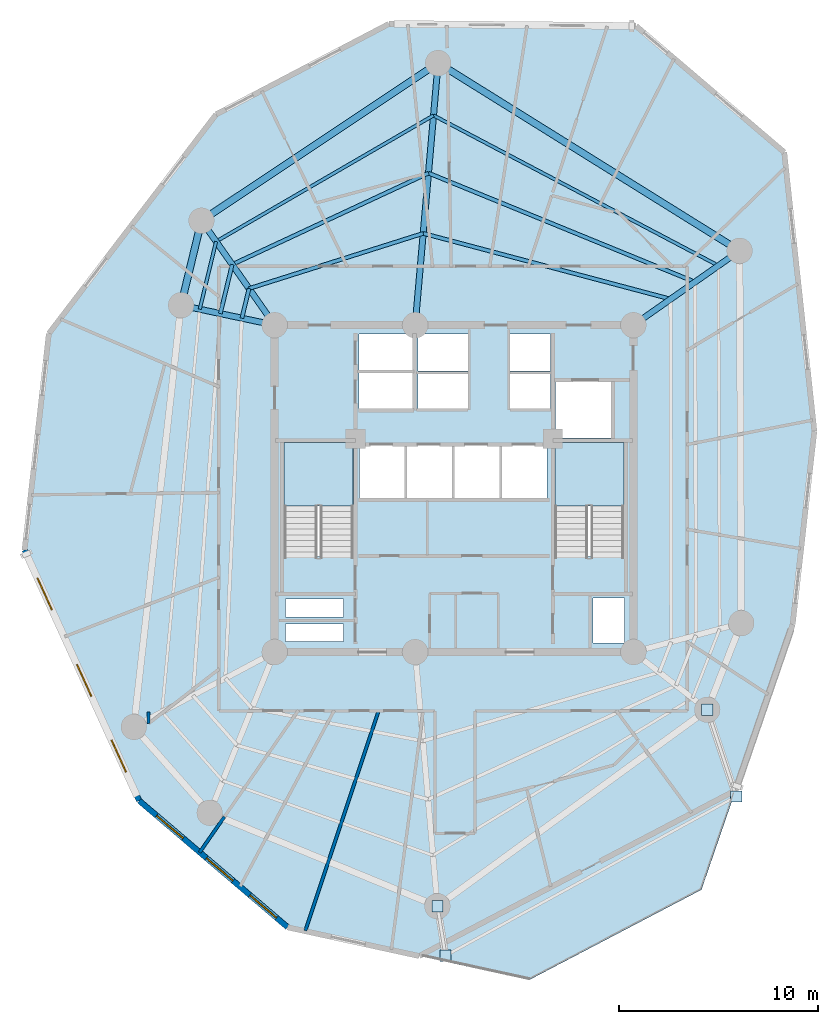
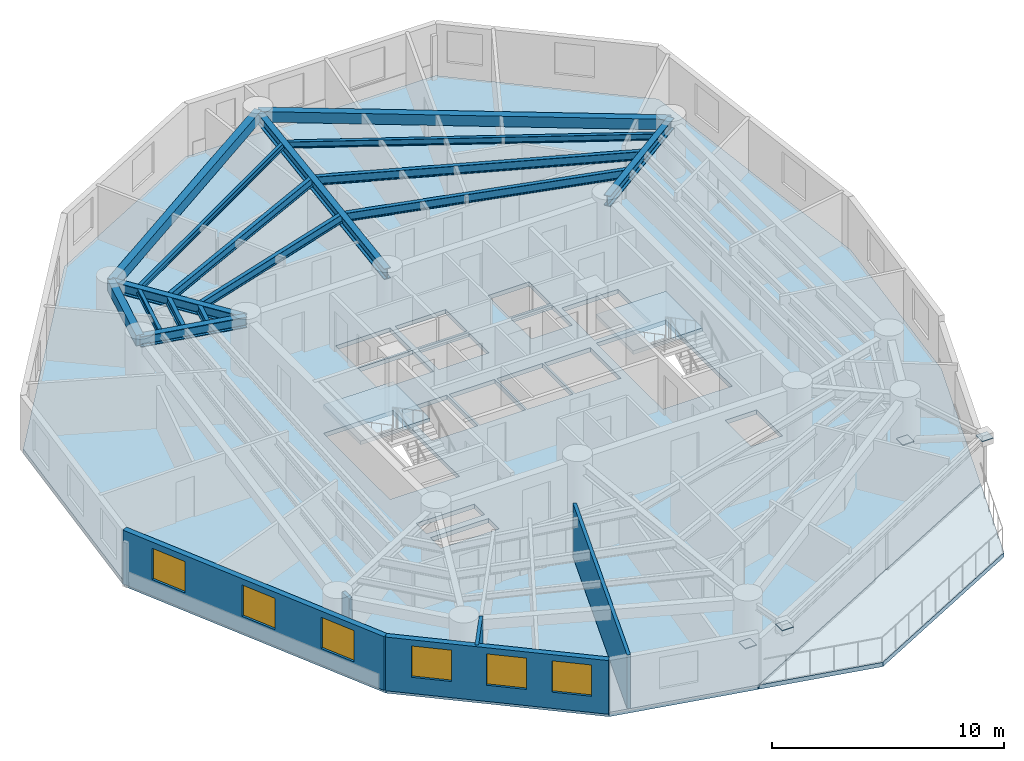
# One storey, part 2 of 10: 16 beams, 6 windows, 5 walls, 4 plates, 4 slabs, 6 openings, 2 elements without a shape of their own.
"""IFC4 building model written with IfcOpenShell, lengths in metres."""

import ifcopenshell
import ifcopenshell.guid

model = None  # the IFC model being written
_history = None  # IfcOwnerHistory: only IFC2X3 demands one
_inside = {}  # id of a spatial element -> (the spatial element, [elements in it])
_under = {}  # id of a project, library or spatial element -> (it, [spatial elements below it])
_declared = {}  # id of a project -> (the project, [libraries it declares])
_typed = {}  # id of a type object -> (the type object, [elements of that type])
_made_of = {}  # id of a material, layer set ... -> (it, [elements and type objects made of it])


def new_model(schema):
    """Start an empty IFC model of exactly this schema.

    Asked for "IFC4X3", IfcOpenShell would pick the latest addendum, in which some entities
    have other attributes; the version numbers below select the first issue.
    IFC2X3 requires an IfcOwnerHistory on every rooted entity: one is made here for all.
    """
    global model, _history
    if schema == "IFC4X3":
        model = ifcopenshell.file(schema_version=(4, 3, 0, 0))
    else:
        model = ifcopenshell.file(schema=schema)
    _inside.clear()
    _under.clear()
    _declared.clear()
    _typed.clear()
    _made_of.clear()
    _history = None
    if model.schema == "IFC2X3":
        org = make("IfcOrganization", Name="unknown")
        user = make(
            "IfcPersonAndOrganization",
            ThePerson=make("IfcPerson", FamilyName="unknown"),
            TheOrganization=org,
        )
        app = make(
            "IfcApplication",
            ApplicationDeveloper=org,
            Version="unknown",
            ApplicationFullName="unknown",
            ApplicationIdentifier="unknown",
        )
        _history = make(
            "IfcOwnerHistory",
            OwningUser=user,
            OwningApplication=app,
            ChangeAction="ADDED",
            CreationDate=0,
        )
    return model


def make(cls, **values):
    """One entity of the class cls with the attributes given. An attribute that is None is left unset."""
    return model.create_entity(
        cls, **{name: value for name, value in values.items() if value is not None}
    )


def rooted(cls, **values):
    """An entity with a GlobalId (a new one), such as an element, a storey or a relation."""
    return make(cls, GlobalId=ifcopenshell.guid.new(), OwnerHistory=_history, **values)


def si_unit(unit_type, name, prefix=None):
    """IfcSIUnit, for example si_unit("LENGTHUNIT", "METRE", prefix="MILLI")."""
    return make("IfcSIUnit", UnitType=unit_type, Prefix=prefix, Name=name)


def assignment(units):
    """IfcUnitAssignment: the units of a project."""
    return None if units is None else make("IfcUnitAssignment", Units=units)


def point(xyz):
    """IfcCartesianPoint."""
    return None if xyz is None else make("IfcCartesianPoint", Coordinates=xyz)


def direction(xyz):
    """IfcDirection."""
    return None if xyz is None else make("IfcDirection", DirectionRatios=xyz)


def frame(location, z_axis=None, x_axis=None):
    """IfcAxis2Placement3D, a coordinate frame: its origin and axes. An axis left out is left unset."""
    return make(
        "IfcAxis2Placement3D",
        Location=point(location),
        Axis=direction(z_axis),
        RefDirection=direction(x_axis),
    )


def frame_2d(location, x_axis=None):
    """IfcAxis2Placement2D, a coordinate frame in the plane: its origin and x axis."""
    return make(
        "IfcAxis2Placement2D", Location=point(location), RefDirection=direction(x_axis)
    )


def origin():
    """The frame at (0, 0, 0) with its axes left unset."""
    return frame((0.0, 0.0, 0.0))


def origin_with_axes():
    """The frame at (0, 0, 0) with the z axis (0, 0, 1) and the x axis (1, 0, 0) written out."""
    return frame((0.0, 0.0, 0.0), z_axis=(0.0, 0.0, 1.0), x_axis=(1.0, 0.0, 0.0))


def origin_2d():
    """The frame at (0, 0) in the plane with its x axis left unset."""
    return frame_2d((0.0, 0.0))


def place(relative_to, where):
    """IfcLocalPlacement: puts the frame where relative to a parent placement (None: the world)."""
    return make(
        "IfcLocalPlacement", PlacementRelTo=relative_to, RelativePlacement=where
    )


def context(
    kind, dimensions, precision=None, world=None, true_north=None, identifier=None
):
    """IfcGeometricRepresentationContext, for example the 3D "Model" context."""
    return make(
        "IfcGeometricRepresentationContext",
        ContextIdentifier=identifier,
        ContextType=kind,
        CoordinateSpaceDimension=dimensions,
        Precision=precision,
        WorldCoordinateSystem=world,
        TrueNorth=true_north,
    )


def subcontext(parent, identifier, kind, view, scale=None):
    """IfcGeometricRepresentationSubContext, for example "Body" below "Model"."""
    return make(
        "IfcGeometricRepresentationSubContext",
        ContextIdentifier=identifier,
        ContextType=kind,
        ParentContext=parent,
        TargetScale=scale,
        TargetView=view,
    )


def project(units=None, contexts=None):
    """IfcProject with its units and contexts."""
    return rooted(
        "IfcProject",
        Name="project",
        RepresentationContexts=contexts,
        UnitsInContext=assignment(units),
    )


def spatial(cls, under=None, at=None, **own):
    """A site, building, storey or space (cls), placed at a placement, below another one or the project."""
    s = rooted(cls, ObjectPlacement=at, **own)
    if under is not None:
        _under.setdefault(under.id(), (under, []))[1].append(s)
    return s


def polyline(points):
    """IfcPolyline through the points."""
    return make("IfcPolyline", Points=[point(p) for p in points])


def profile(cls, at=None, kind="AREA", **sizes):
    """A parametric profile (cls). Its sizes go by their IFC names, for example OverallWidth=200.0."""
    return make(cls, ProfileType=kind, Position=at, **sizes)


def rectangle(**sizes):
    """IfcRectangleProfileDef."""
    return profile("IfcRectangleProfileDef", **sizes)


def i_section(**sizes):
    """IfcIShapeProfileDef."""
    return profile("IfcIShapeProfileDef", **sizes)


def outline(outer, holes=None, kind="AREA"):
    """IfcArbitraryClosedProfileDef: a profile drawn as a closed curve; with holes, ...WithVoids."""
    if holes is None:
        return make("IfcArbitraryClosedProfileDef", ProfileType=kind, OuterCurve=outer)
    return make(
        "IfcArbitraryProfileDefWithVoids",
        ProfileType=kind,
        OuterCurve=outer,
        InnerCurves=holes,
    )


def extrude(swept, where, along, depth):
    """IfcExtrudedAreaSolid: the profile swept, set in the frame where, extruded along a direction by depth."""
    return make(
        "IfcExtrudedAreaSolid",
        SweptArea=swept,
        Position=where,
        ExtrudedDirection=direction(along),
        Depth=depth,
    )


def shape(context_of_items, identifier, shape_type, items):
    """IfcShapeRepresentation: the items that make up one representation, for example the "Body"."""
    return make(
        "IfcShapeRepresentation",
        ContextOfItems=context_of_items,
        RepresentationIdentifier=identifier,
        RepresentationType=shape_type,
        Items=items,
    )


def source(mapping_origin, context_of_items, identifier, shape_type, items):
    """IfcRepresentationMap: a shape defined once, which mapped items show again and again."""
    return make(
        "IfcRepresentationMap",
        MappingOrigin=mapping_origin,
        MappedRepresentation=shape(context_of_items, identifier, shape_type, items),
    )


def transform(
    local_origin,
    x_axis=None,
    y_axis=None,
    z_axis=None,
    scale=None,
    scale2=None,
    scale3=None,
    uniform=True,
):
    """IfcCartesianTransformationOperator3D, or its non-uniform kind. x_axis, y_axis, z_axis: its Axis1, 2, 3."""
    if uniform:
        return make(
            "IfcCartesianTransformationOperator3D",
            Axis1=direction(x_axis),
            Axis2=direction(y_axis),
            LocalOrigin=point(local_origin),
            Scale=scale,
            Axis3=direction(z_axis),
        )
    return make(
        "IfcCartesianTransformationOperator3DnonUniform",
        Axis1=direction(x_axis),
        Axis2=direction(y_axis),
        LocalOrigin=point(local_origin),
        Scale=scale,
        Axis3=direction(z_axis),
        Scale2=scale2,
        Scale3=scale3,
    )


def mapped(mapping_source, mapping_target):
    """IfcMappedItem: shows the shape of a source again, moved by a transform."""
    return make(
        "IfcMappedItem", MappingSource=mapping_source, MappingTarget=mapping_target
    )


def material(Name=None, Category=None):
    """IfcMaterial."""
    return make("IfcMaterial", Name=Name, Category=Category)


def layer(
    of_material, thickness, ventilated=None, Name=None, Category=None, Priority=None
):
    """IfcMaterialLayer: one layer of a wall or slab, of a material (None: an air gap)."""
    return make(
        "IfcMaterialLayer",
        Material=of_material,
        LayerThickness=thickness,
        IsVentilated=ventilated,
        Name=Name,
        Category=Category,
        Priority=Priority,
    )


def layer_set(layers, Name=None):
    """IfcMaterialLayerSet."""
    return make("IfcMaterialLayerSet", MaterialLayers=layers, LayerSetName=Name)


def material_profile(
    of_material, cross_section, Name=None, Category=None, Priority=None
):
    """IfcMaterialProfile: a cross section and its material."""
    return make(
        "IfcMaterialProfile",
        Name=Name,
        Material=of_material,
        Profile=cross_section,
        Priority=Priority,
        Category=Category,
    )


def profile_set(profiles, Name=None, composite=None):
    """IfcMaterialProfileSet."""
    return make(
        "IfcMaterialProfileSet",
        Name=Name,
        MaterialProfiles=profiles,
        CompositeProfile=composite,
    )


def made_of(thing, what):
    """Note that an element or type object is made of a material, layer set ...; save() writes the relation."""
    if what is not None:
        _made_of.setdefault(what.id(), (what, []))[1].append(thing)
    return thing


def type_object(cls, material=None, **own):
    """A type object (cls), such as IfcWallType, which elements share."""
    return made_of(rooted(cls, **own), material)


def element(
    cls,
    number,
    at=None,
    inside=None,
    cuts=None,
    type_object=None,
    material=None,
    context=None,
    identifier="Body",
    shape_type=None,
    held_by="IfcProductDefinitionShape",
    body=None,
    shapes=None,
    **own,
):
    """One element of the class cls, such as IfcWall. Its Tag is "e" and its number.

    at: its placement. inside: the storey or other place that contains it. cuts: it is an
    opening in that element (IfcRelVoidsElement). A single representation is given by context,
    identifier, shape_type and body (its items); several are given by shapes. held_by: the class
    of the entity that holds the representations. save() writes the other relations.
    """
    e = rooted(cls, Tag="e%d" % number, ObjectPlacement=at, **own)
    if body is not None:
        shapes = [shape(context, identifier, shape_type, body)]
    if shapes is not None:
        e.Representation = make(held_by, Representations=shapes)
    if inside is not None:
        _inside.setdefault(inside.id(), (inside, []))[1].append(e)
    if cuts is not None:
        rooted(
            "IfcRelVoidsElement", RelatingBuildingElement=cuts, RelatedOpeningElement=e
        )
    if type_object is not None:
        _typed.setdefault(type_object.id(), (type_object, []))[1].append(e)
    return made_of(e, material)


def fill(opening, filler):
    """IfcRelFillsElement: the door or window that sits in an opening."""
    return rooted(
        "IfcRelFillsElement",
        RelatingOpeningElement=opening,
        RelatedBuildingElement=filler,
    )


def aggregate(whole, parts):
    """IfcRelAggregates: a whole, such as a stair, and the parts it consists of."""
    return rooted("IfcRelAggregates", RelatingObject=whole, RelatedObjects=parts)


def save(model, path):
    """Write the relations noted so far, then the file.

    IfcRelAggregates (storeys below a building ...), IfcRelContainedInSpatialStructure (elements
    in a storey), IfcRelDefinesByType, IfcRelAssociatesMaterial and IfcRelDeclares: one each for
    every whole, place, type object, material and project.
    """
    for whole, parts in _under.values():
        aggregate(whole, parts)
    for where, things in _inside.values():
        rooted(
            "IfcRelContainedInSpatialStructure",
            RelatedElements=things,
            RelatingStructure=where,
        )
    for kind, things in _typed.values():
        rooted("IfcRelDefinesByType", RelatedObjects=things, RelatingType=kind)
    for what, things in _made_of.values():
        rooted("IfcRelAssociatesMaterial", RelatedObjects=things, RelatingMaterial=what)
    for by, libraries in _declared.values():
        rooted("IfcRelDeclares", RelatingContext=by, RelatedDefinitions=libraries)
    model.write(path)


model = new_model("IFC4")

# Units and contexts
model_context = context("Model", 3, precision=1e-05, world=origin(), true_north=direction((0.0, 1.0)))
body_context = subcontext(model_context, "Body", "Model", "MODEL_VIEW")
ifc_project = project(units=[si_unit("LENGTHUNIT", "METRE"), si_unit("AREAUNIT", "SQUARE_METRE"), si_unit("VOLUMEUNIT", "CUBIC_METRE"), si_unit("PLANEANGLEUNIT", "RADIAN"), si_unit("MASSUNIT", "GRAM", prefix="KILO")], contexts=[model_context])

# Site, building, storey
site_placement = place(None, origin())
site = spatial("IfcSite", under=ifc_project, at=site_placement, CompositionType="ELEMENT")
building_placement = place(site_placement, origin())
building = spatial("IfcBuilding", under=site, at=building_placement, Name="Karkom Vertical University and Central Library", CompositionType="ELEMENT")
storey_placement = place(building_placement, frame((0.0, 0.0, 171.800048828125)))
storey = spatial("IfcBuildingStorey", under=building, at=storey_placement, Name="L49", CompositionType="ELEMENT", Elevation=171.800048828125)

# Beams
ifc_material_1 = material(Name="Precast concrete C45/55", Category="concrete")
ifc_material_profile_1 = material_profile(ifc_material_1, rectangle(XDim=0.35009765625, YDim=0.550048828125, at=origin_2d()), Name="SPB-350x550")
ifc_profile_set_1 = profile_set([ifc_material_profile_1], Name="Precast concrete C45/55")
beam_type_1 = type_object("IfcBeamType", Name="STR-BM-SP-2", PredefinedType="SPANDREL", material=ifc_profile_set_1)
shared_shape_1 = source(origin_with_axes(), body_context, "Body", "SweptSolid", [
    extrude(rectangle(XDim=0.35009765625, YDim=0.550048828125, at=origin_2d()), origin(), (0.0, 0.0, 1.0), 17.81884765625),
])
beam_1_placement = place(storey_placement, frame((42.823974609375, 38.427978515625, 2.550048828125), z_axis=(-0.848764070164, 0.528771740167, 0.0), x_axis=(-0.528771740167, -0.848764070164, 0.0)))
element("IfcBeam", 1, at=beam_1_placement, inside=storey, type_object=beam_type_1, Name="Level 49 Perimeter Spandrel Beam 02", PredefinedType="SPANDREL", context=body_context, shape_type="MappedRepresentation", body=[
    mapped(shared_shape_1, transform((0.0, 0.0, 0.0), scale=1.0)),
])
shared_shape_2 = source(origin_with_axes(), body_context, "Body", "SweptSolid", [
    extrude(rectangle(XDim=0.35009765625, YDim=0.550048828125, at=origin_2d()), origin(), (0.0, 0.0, 1.0), 14.26318359375),
])
beam_2_placement = place(storey_placement, frame((27.699951171875, 47.85009765625, 2.550048828125), z_axis=(-0.83227406272, -0.554364396876, 0.0), x_axis=(0.554364396876, -0.83227406272, 0.0)))
element("IfcBeam", 2, at=beam_2_placement, inside=storey, type_object=beam_type_1, Name="Level 49 Perimeter Spandrel Beam 03", PredefinedType="SPANDREL", context=body_context, shape_type="MappedRepresentation", body=[
    mapped(shared_shape_2, transform((0.0, 0.0, 0.0), scale=1.0)),
])
shared_shape_3 = source(origin_with_axes(), body_context, "Body", "SweptSolid", [
    extrude(rectangle(XDim=0.35009765625, YDim=0.550048828125, at=origin_2d()), origin(), (0.0, 0.0, 1.0), 4.366943359375),
])
beam_3_placement = place(storey_placement, frame((15.8291015625, 39.943115234375, 2.550048828125), z_axis=(-0.234529408772, -0.972109024966, 0.0), x_axis=(0.972109024966, -0.234529408772, 0.0)))
element("IfcBeam", 3, at=beam_3_placement, inside=storey, type_object=beam_type_1, Name="Level 49 Perimeter Spandrel Beam 04", PredefinedType="SPANDREL", context=body_context, shape_type="MappedRepresentation", body=[
    mapped(shared_shape_3, transform((0.0, 0.0, 0.0), scale=1.0)),
])
ifc_material_2 = material(Name="Steel S355", Category="steel")
ifc_material_profile_2 = material_profile(ifc_material_2, i_section(OverallWidth=0.18994140625, OverallDepth=0.449951171875, WebThickness=0.009521484375, FlangeThickness=0.0146484375, FilletRadius=0.02099609375, at=origin_2d()), Name="IPE 450")
ifc_profile_set_2 = profile_set([ifc_material_profile_2], Name="Steel S355")
beam_type_2 = type_object("IfcBeamType", Name="STR-BM-SB-IPE450", PredefinedType="BEAM", material=ifc_profile_set_2)
shared_shape_4 = source(origin_with_axes(), body_context, "Body", "SweptSolid", [
    extrude(i_section(OverallWidth=0.18994140625, OverallDepth=0.449951171875, WebThickness=0.009521484375, FlangeThickness=0.0146484375, FilletRadius=0.02099609375, at=origin_2d()), origin(), (0.0, 0.0, 1.0), 12.841552734375),
])
beam_4_placement = place(storey_placement, frame((39.36328125, 36.0048828125, 2.599853515625), z_axis=(-0.96646647674, 0.256792814032, 0.0), x_axis=(-0.256792814032, -0.96646647674, 0.0)))
element("IfcBeam", 4, at=beam_4_placement, inside=storey, type_object=beam_type_2, Name="Level 49 Secondary Composite Floor Beam 1.02", PredefinedType="BEAM", context=body_context, shape_type="MappedRepresentation", body=[
    mapped(shared_shape_4, transform((0.0, 0.0, 0.0), scale=1.0)),
])
shared_shape_5 = source(origin_with_axes(), body_context, "Body", "SweptSolid", [
    extrude(i_section(OverallWidth=0.18994140625, OverallDepth=0.449951171875, WebThickness=0.009521484375, FlangeThickness=0.0146484375, FilletRadius=0.02099609375, at=origin_2d()), origin(), (0.0, 0.0, 1.0), 9.1650390625),
])
beam_5_placement = place(storey_placement, frame((26.952392578125, 39.302490234375, 2.599853515625), z_axis=(-0.953318200449, -0.301967562319, 0.0), x_axis=(0.301967562319, -0.953318200449, 0.0)))
element("IfcBeam", 5, at=beam_5_placement, inside=storey, type_object=beam_type_2, Name="Level 49 Secondary Composite Floor Beam 1.03", PredefinedType="BEAM", context=body_context, shape_type="MappedRepresentation", body=[
    mapped(shared_shape_5, transform((0.0, 0.0, 0.0), scale=1.0)),
])
shared_shape_6 = source(origin_with_axes(), body_context, "Body", "SweptSolid", [
    extrude(i_section(OverallWidth=0.18994140625, OverallDepth=0.449951171875, WebThickness=0.009521484375, FlangeThickness=0.0146484375, FilletRadius=0.02099609375, at=origin_2d()), origin(), (0.0, 0.0, 1.0), 1.5283203125),
])
beam_6_placement = place(storey_placement, frame((18.215087890625, 36.534912109375, 2.599853515625), z_axis=(-0.234520804587, -0.972111100757, 0.0), x_axis=(0.972111100757, -0.234520804587, 0.0)))
element("IfcBeam", 6, at=beam_6_placement, inside=storey, type_object=beam_type_2, Name="Level 49 Secondary Composite Floor Beam 1.04", PredefinedType="BEAM", context=body_context, shape_type="MappedRepresentation", body=[
    mapped(shared_shape_6, transform((0.0, 0.0, 0.0), scale=1.0)),
])
shared_shape_7 = source(origin_with_axes(), body_context, "Body", "SweptSolid", [
    extrude(i_section(OverallWidth=0.18994140625, OverallDepth=0.449951171875, WebThickness=0.009521484375, FlangeThickness=0.0146484375, FilletRadius=0.02099609375, at=origin_2d()), origin(), (0.0, 0.0, 1.0), 14.4443359375),
])
beam_7_placement = place(storey_placement, frame((40.587890625, 36.8623046875, 2.599853515625), z_axis=(-0.925675328736, 0.378318894281, 0.0), x_axis=(-0.378318894281, -0.925675328736, 0.0)))
element("IfcBeam", 7, at=beam_7_placement, inside=storey, type_object=beam_type_2, Name="Level 49 Secondary Composite Floor Beam 2.02", PredefinedType="BEAM", context=body_context, shape_type="MappedRepresentation", body=[
    mapped(shared_shape_7, transform((0.0, 0.0, 0.0), scale=1.0)),
])
shared_shape_8 = source(origin_with_axes(), body_context, "Body", "SweptSolid", [
    extrude(i_section(OverallWidth=0.18994140625, OverallDepth=0.449951171875, WebThickness=0.009521484375, FlangeThickness=0.0146484375, FilletRadius=0.02099609375, at=origin_2d()), origin(), (0.0, 0.0, 1.0), 10.86181640625),
])
beam_8_placement = place(storey_placement, frame((27.217041015625, 42.326904296875, 2.599853515625), z_axis=(-0.90649871419, -0.422208575436, 0.0), x_axis=(0.422208575436, -0.90649871419, 0.0)))
element("IfcBeam", 8, at=beam_8_placement, inside=storey, type_object=beam_type_2, Name="Level 49 Secondary Composite Floor Beam 2.03", PredefinedType="BEAM", context=body_context, shape_type="MappedRepresentation", body=[
    mapped(shared_shape_8, transform((0.0, 0.0, 0.0), scale=1.0)),
])
shared_shape_9 = source(origin_with_axes(), body_context, "Body", "SweptSolid", [
    extrude(i_section(OverallWidth=0.18994140625, OverallDepth=0.449951171875, WebThickness=0.009521484375, FlangeThickness=0.0146484375, FilletRadius=0.02099609375, at=origin_2d()), origin(), (0.0, 0.0, 1.0), 2.53271484375),
])
beam_9_placement = place(storey_placement, frame((17.370849609375, 37.740966796875, 2.599853515625), z_axis=(-0.234521178828, -0.972111010472, 0.0), x_axis=(0.972111010472, -0.234521178828, 0.0)))
element("IfcBeam", 9, at=beam_9_placement, inside=storey, type_object=beam_type_2, Name="Level 49 Secondary Composite Floor Beam 2.04", PredefinedType="BEAM", context=body_context, shape_type="MappedRepresentation", body=[
    mapped(shared_shape_9, transform((0.0, 0.0, 0.0), scale=1.0)),
])
ifc_material_profile_3 = material_profile(ifc_material_2, i_section(OverallWidth=0.159912109375, OverallDepth=0.330078125, WebThickness=0.007568359375, FlangeThickness=0.011474609375, FilletRadius=0.01806640625, at=origin_2d()), Name="IPE 330")
ifc_profile_set_3 = profile_set([ifc_material_profile_3], Name="Steel S355")
beam_type_3 = type_object("IfcBeamType", Name="STR-BM-SB-IPE330", PredefinedType="BEAM", material=ifc_profile_set_3)
shared_shape_10 = source(origin_with_axes(), body_context, "Body", "SweptSolid", [
    extrude(i_section(OverallWidth=0.159912109375, OverallDepth=0.330078125, WebThickness=0.007568359375, FlangeThickness=0.011474609375, FilletRadius=0.01806640625, at=origin_2d()), origin(), (0.0, 0.0, 1.0), 16.155517578125),
])
beam_10_placement = place(storey_placement, frame((41.75927734375, 37.682373046875, 2.659912109375), z_axis=(-0.884486447848, 0.466565883423, 0.0), x_axis=(-0.466565883423, -0.884486447848, 0.0)))
element("IfcBeam", 10, at=beam_10_placement, inside=storey, type_object=beam_type_3, Name="Level 49 Secondary Composite Floor Beam 3.02", PredefinedType="BEAM", context=body_context, shape_type="MappedRepresentation", body=[
    mapped(shared_shape_10, transform((0.0, 0.0, 0.0), scale=1.0)),
])
shared_shape_11 = source(origin_with_axes(), body_context, "Body", "SweptSolid", [
    extrude(i_section(OverallWidth=0.159912109375, OverallDepth=0.330078125, WebThickness=0.007568359375, FlangeThickness=0.011474609375, FilletRadius=0.01806640625, at=origin_2d()), origin(), (0.0, 0.0, 1.0), 12.6083984375),
])
beam_11_placement = place(storey_placement, frame((27.469970703125, 45.219970703125, 2.659912109375), z_axis=(-0.865038920595, -0.50170475965, 0.0), x_axis=(0.50170475965, -0.865038920595, 0.0)))
element("IfcBeam", 11, at=beam_11_placement, inside=storey, type_object=beam_type_3, Name="Level 49 Secondary Composite Floor Beam 3.03", PredefinedType="BEAM", context=body_context, shape_type="MappedRepresentation", body=[
    mapped(shared_shape_11, transform((0.0, 0.0, 0.0), scale=1.0)),
])
shared_shape_12 = source(origin_with_axes(), body_context, "Body", "SweptSolid", [
    extrude(i_section(OverallWidth=0.159912109375, OverallDepth=0.330078125, WebThickness=0.007568359375, FlangeThickness=0.011474609375, FilletRadius=0.01806640625, at=origin_2d()), origin(), (0.0, 0.0, 1.0), 3.493408203125),
])
beam_12_placement = place(storey_placement, frame((16.563232421875, 38.894287109375, 2.659912109375), z_axis=(-0.234535781995, -0.972107487351, 0.0), x_axis=(0.972107487351, -0.234535781995, 0.0)))
element("IfcBeam", 12, at=beam_12_placement, inside=storey, type_object=beam_type_3, Name="Level 49 Secondary Composite Floor Beam 3.04", PredefinedType="BEAM", context=body_context, shape_type="MappedRepresentation", body=[
    mapped(shared_shape_12, transform((0.0, 0.0, 0.0), scale=1.0)),
])
ifc_material_profile_4 = material_profile(ifc_material_2, i_section(OverallWidth=0.300048828125, OverallDepth=0.550048828125, WebThickness=0.014892578125, FlangeThickness=0.029052734375, FilletRadius=0.027099609375, at=origin_2d()), Name="HE 550 B")
ifc_profile_set_4 = profile_set([ifc_material_profile_4], Name="Steel S355")
beam_type_4 = type_object("IfcBeamType", Name="STR-BM-SB-HE550", PredefinedType="USERDEFINED", material=ifc_profile_set_4)
shared_shape_13 = source(origin_with_axes(), body_context, "Body", "SweptSolid", [
    extrude(i_section(OverallWidth=0.300048828125, OverallDepth=0.550048828125, WebThickness=0.014892578125, FlangeThickness=0.029052734375, FilletRadius=0.027099609375, at=origin_2d()), origin(), (0.0, 0.0, 1.0), 6.49951171875),
])
beam_13_placement = place(storey_placement, frame((37.5, 34.699951171875, 2.550048828125), z_axis=(0.819141909878, 0.573590909517, 0.0), x_axis=(-0.573590909517, 0.819141909878, 0.0)))
element("IfcBeam", 13, at=beam_13_placement, inside=storey, type_object=beam_type_4, Name="Level 49 Radial Frame Girder 02", ObjectType="GIRDER", PredefinedType="USERDEFINED", context=body_context, shape_type="MappedRepresentation", body=[
    mapped(shared_shape_13, transform((0.0, 0.0, 0.0), scale=1.0)),
])
shared_shape_14 = source(origin_with_axes(), body_context, "Body", "SweptSolid", [
    extrude(i_section(OverallWidth=0.300048828125, OverallDepth=0.550048828125, WebThickness=0.014892578125, FlangeThickness=0.029052734375, FilletRadius=0.027099609375, at=origin_2d()), origin(), (0.0, 0.0, 1.0), 13.200439453125),
])
beam_14_placement = place(storey_placement, frame((26.550048828125, 34.699951171875, 2.550048828125), z_axis=(0.087111657164, 0.996198554098, 0.0), x_axis=(-0.996198554098, 0.087111657164, 0.0)))
element("IfcBeam", 14, at=beam_14_placement, inside=storey, type_object=beam_type_4, Name="Level 49 Radial Frame Girder 03", ObjectType="GIRDER", PredefinedType="USERDEFINED", context=body_context, shape_type="MappedRepresentation", body=[
    mapped(shared_shape_14, transform((0.0, 0.0, 0.0), scale=1.0)),
])
shared_shape_15 = source(origin_with_axes(), body_context, "Body", "SweptSolid", [
    extrude(i_section(OverallWidth=0.300048828125, OverallDepth=0.550048828125, WebThickness=0.014892578125, FlangeThickness=0.029052734375, FilletRadius=0.027099609375, at=origin_2d()), origin(), (0.0, 0.0, 1.0), 6.400390625),
])
beam_15_placement = place(storey_placement, frame((19.5, 34.699951171875, 2.550048828125), z_axis=(-0.573534022273, 0.81918174131, 0.0), x_axis=(-0.81918174131, -0.573534022273, 0.0)))
element("IfcBeam", 15, at=beam_15_placement, inside=storey, type_object=beam_type_4, Name="Level 49 Radial Frame Girder 04", ObjectType="GIRDER", PredefinedType="USERDEFINED", context=body_context, shape_type="MappedRepresentation", body=[
    mapped(shared_shape_15, transform((0.0, 0.0, 0.0), scale=1.0)),
])
shared_shape_16 = source(origin_with_axes(), body_context, "Body", "SweptSolid", [
    extrude(i_section(OverallWidth=0.300048828125, OverallDepth=0.550048828125, WebThickness=0.014892578125, FlangeThickness=0.029052734375, FilletRadius=0.027099609375, at=origin_2d()), origin(), (0.0, 0.0, 1.0), 4.800048828125),
])
beam_16_placement = place(storey_placement, frame((19.5, 34.699951171875, 2.550048828125), z_axis=(-0.978144241295, 0.207927495108, 0.0), x_axis=(-0.207927495108, -0.978144241295, 0.0)))
element("IfcBeam", 16, at=beam_16_placement, inside=storey, type_object=beam_type_4, Name="Level 49 Radial Frame Girder 05", ObjectType="GIRDER", PredefinedType="USERDEFINED", context=body_context, shape_type="MappedRepresentation", body=[
    mapped(shared_shape_16, transform((0.0, 0.0, 0.0), scale=1.0)),
])

# Stair, slab
ifc_material_3 = material(Name="Concrete C45/55", Category="concrete")
stair_type = type_object("IfcStairType", Name="INT-STR-ST-MAIN", PredefinedType="HALF_TURN_STAIR", material=ifc_material_3)
stair_1_placement = place(storey_placement, origin())
stair_1 = element("IfcStair", 17, at=stair_1_placement, inside=storey, type_object=stair_type, Name="Level 49 Tower Protected Exit Stair ST-1", PredefinedType="HALF_TURN_STAIR")
ifc_layer_1 = layer(ifc_material_3, 0.199951171875)
ifc_layer_set_1 = layer_set([ifc_layer_1], Name="Concrete C45/55")
slab_type_1 = type_object("IfcSlabType", Name="INT-SLB-LANDING", PredefinedType="LANDING", material=ifc_layer_set_1)
slab_1_placement = place(storey_placement, frame((0.0, 0.0, 1.324951171875)))
slab_1 = element("IfcSlab", 18, at=slab_1_placement, type_object=slab_type_1, Name="ST-1 landing 1", PredefinedType="LANDING", context=body_context, shape_type="SweptSolid", body=[
    extrude(outline(polyline([(23.43994140625, 25.6298828125), (23.43994140625, 28.820068359375), (19.97998046875, 28.820068359375), (19.97998046875, 25.6298828125), (23.43994140625, 25.6298828125)])), origin(), (0.0, 0.0, 1.0), 0.199951171875),
])
aggregate(stair_1, [slab_1])

stair_2_placement = place(storey_placement, origin())
stair_2 = element("IfcStair", 19, at=stair_2_placement, inside=storey, type_object=stair_type, Name="Level 49 Tower Protected Exit Stair ST-2", PredefinedType="HALF_TURN_STAIR")
slab_2_placement = place(storey_placement, frame((0.0, 0.0, 1.324951171875)))
slab_2 = element("IfcSlab", 20, at=slab_2_placement, type_object=slab_type_1, Name="ST-2 landing 1", PredefinedType="LANDING", context=body_context, shape_type="SweptSolid", body=[
    extrude(outline(polyline([(37.02001953125, 25.6298828125), (37.02001953125, 28.820068359375), (33.56005859375, 28.820068359375), (33.56005859375, 25.6298828125), (37.02001953125, 25.6298828125)])), origin(), (0.0, 0.0, 1.0), 0.199951171875),
])
aggregate(stair_2, [slab_2])

# Slabs
ifc_layer_2 = layer(ifc_material_3, 0.22509765625)
ifc_layer_set_2 = layer_set([ifc_layer_2], Name="Concrete C45/55")
slab_type_2 = type_object("IfcSlabType", Name="STR-SLB-FLR-225", PredefinedType="FLOOR", material=ifc_layer_set_2)
slab_3_placement = place(storey_placement, frame((0.0, 0.0, -0.22509765625)))
element("IfcSlab", 21, at=slab_3_placement, inside=storey, type_object=slab_type_2, Name="Level 49 Tower Structural Floor Slab", PredefinedType="FLOOR", context=body_context, shape_type="SweptSolid", body=[
    extrude(outline(polyline([(6.9580078125, 23.41796875), (12.70458984375, 10.840087890625), (20.1494140625, 4.4951171875), (26.750732421875, 3.0537109375), (42.625, 11.366943359375), (45.483642578125, 19.685791015625), (46.5712890625, 29.382080078125), (45.060302734375, 43.3720703125), (37.63134765625, 49.70361328125), (25.23193359375, 49.80810546875), (16.56640625, 45.27001953125), (8.176025390625, 34.278076171875), (6.9580078125, 23.41796875)]), holes=[polyline([(19.97998046875, 23.0849609375), (23.43994140625, 23.0849609375), (23.43994140625, 28.820068359375), (19.97998046875, 28.820068359375), (19.97998046875, 23.0849609375)]), polyline([(33.56005859375, 23.0849609375), (37.02001953125, 23.0849609375), (37.02001953125, 28.820068359375), (33.56005859375, 28.820068359375), (33.56005859375, 23.0849609375)]), polyline([(23.75, 26.0), (26.030029296875, 26.0), (26.030029296875, 28.64990234375), (23.75, 28.64990234375), (23.75, 26.0)]), polyline([(26.1298828125, 26.0), (28.409912109375, 26.0), (28.409912109375, 28.64990234375), (26.1298828125, 28.64990234375), (26.1298828125, 26.0)]), polyline([(28.510009765625, 26.0), (30.7900390625, 26.0), (30.7900390625, 28.64990234375), (28.510009765625, 28.64990234375), (28.510009765625, 26.0)]), polyline([(30.889892578125, 26.0), (33.169921875, 26.0), (33.169921875, 28.64990234375), (30.889892578125, 28.64990234375), (30.889892578125, 26.0)]), polyline([(26.679931640625, 30.5), (29.199951171875, 30.5), (29.199951171875, 32.25), (26.679931640625, 32.25), (26.679931640625, 30.5)]), polyline([(26.679931640625, 32.39990234375), (29.199951171875, 32.39990234375), (29.199951171875, 34.25), (26.679931640625, 34.25), (26.679931640625, 32.39990234375)]), polyline([(31.300048828125, 30.5), (33.35009765625, 30.5), (33.35009765625, 32.25), (31.300048828125, 32.25), (31.300048828125, 30.5)]), polyline([(31.300048828125, 32.39990234375), (33.35009765625, 32.39990234375), (33.35009765625, 34.25), (31.300048828125, 34.25), (31.300048828125, 32.39990234375)]), polyline([(23.719970703125, 30.47998046875), (26.429931640625, 30.47998046875), (26.429931640625, 32.320068359375), (23.719970703125, 32.320068359375), (23.719970703125, 30.47998046875)]), polyline([(23.719970703125, 32.419921875), (26.429931640625, 32.419921875), (26.429931640625, 34.260009765625), (23.719970703125, 34.260009765625), (23.719970703125, 32.419921875)]), polyline([(33.60009765625, 29.050048828125), (36.39990234375, 29.050048828125), (36.39990234375, 31.85009765625), (33.60009765625, 31.85009765625), (33.60009765625, 29.050048828125)]), polyline([(20.050048828125, 18.820068359375), (22.949951171875, 18.820068359375), (22.949951171875, 19.719970703125), (20.050048828125, 19.719970703125), (20.050048828125, 18.820068359375)]), polyline([(20.050048828125, 20.06005859375), (22.949951171875, 20.06005859375), (22.949951171875, 20.9599609375), (20.050048828125, 20.9599609375), (20.050048828125, 20.06005859375)]), polyline([(35.4599609375, 18.760009765625), (37.0400390625, 18.760009765625), (37.0400390625, 21.010009765625), (35.4599609375, 21.010009765625), (35.4599609375, 18.760009765625)])]), origin(), (0.0, 0.0, 1.0), 0.22509765625),
])
ifc_layer_3 = layer(ifc_material_3, 0.199951171875)
ifc_layer_set_3 = layer_set([ifc_layer_3], Name="Concrete C45/55")
slab_type_3 = type_object("IfcSlabType", Name="STR-SLB-PLN-260", PredefinedType="USERDEFINED", material=ifc_layer_set_3)
slab_4_placement = place(storey_placement, frame((0.0, 0.0, -0.22509765625)))
element("IfcSlab", 22, at=slab_4_placement, inside=storey, type_object=slab_type_3, Name="Level 49 Spiral Sky Garden Planter Terrace", ObjectType="PLANTER", PredefinedType="USERDEFINED", context=body_context, shape_type="SweptSolid", body=[
    extrude(outline(polyline([(40.91064453125, 6.37841796875), (32.263671875, 1.85009765625), (26.781005859375, 3.047119140625), (42.615478515625, 11.339599609375), (40.91064453125, 6.37841796875)])), origin(), (0.0, 0.0, 1.0), 0.22509765625),
])

# Plates
ifc_layer_4 = layer(ifc_material_2, 0.028076171875)
ifc_layer_set_4 = layer_set([ifc_layer_4], Name="Steel S355")
plate_type = type_object("IfcPlateType", Name="STR-PLT-GP-2", PredefinedType="USERDEFINED", material=ifc_layer_set_4)
shared_shape_17 = source(origin_with_axes(), body_context, "Body", "SweptSolid", [
    extrude(rectangle(XDim=0.56005859375, YDim=0.56005859375, at=origin_2d()), origin(), (0.0, 0.0, 1.0), 0.028076171875),
])
for number, where, z_axis, x_axis, name in (
    (23, (27.666015625, 5.549072265625, 0.3359375), (0.0, 0.0, 1.0), (1.0, 0.0, 0.0), "Level 49 Node Gusset Cap Plate L49-SKG-KNEE-1 A"),
    (24, (28.07177734375, 3.068603515625, 2.64599609375), (0.0, 0.0, 1.0), (1.0, 0.0, 0.0), "Level 49 Node Gusset Cap Plate L49-SKG-KNEE-1 B"),
    (25, (41.2041015625, 15.406005859375, 0.3359375), (0.0, 0.0, 1.0), (1.0, 0.0, 0.0), "Level 49 Node Gusset Cap Plate L49-SKG-KNEE-2 A"),
    (26, (42.65185546875, 11.05908203125, 2.64599609375), (0.0, 0.0, 1.0), (1.0, 0.0, 0.0), "Level 49 Node Gusset Cap Plate L49-SKG-KNEE-2 B"),
):
    element("IfcPlate", number, at=place(storey_placement, frame(where, z_axis=z_axis, x_axis=x_axis)), inside=storey, type_object=plate_type, Name=name, ObjectType="GUSSET PLATE", PredefinedType="USERDEFINED", context=body_context, shape_type="MappedRepresentation", body=[
        mapped(shared_shape_17, transform((0.0, 0.0, 0.0), scale=1.0)),
    ])

# Wall, openings, windows
ifc_material_4 = material(Name="Brick-faced precast concrete C45/55", Category="masonry")
ifc_layer_5 = layer(ifc_material_4, 0.280029296875)
ifc_layer_set_5 = layer_set([ifc_layer_5], Name="Brick-faced precast concrete C45/55")
wall_type_1 = type_object("IfcWallType", Name="ENV-WL-BRK-280", PredefinedType="SOLIDWALL", material=ifc_layer_set_5)
wall_1_placement = place(storey_placement, frame((6.9580078125, 23.41796875, 0.0), z_axis=(0.0, 0.0, 1.0), x_axis=(0.415561981729, -0.909564862636, 0.0)))
wall_1 = element("IfcWall", 27, at=wall_1_placement, inside=storey, type_object=wall_type_1, Name="Level 49 Brick-Faced Precast Facade Wall 01", PredefinedType="SOLIDWALL", context=body_context, shape_type="SweptSolid", body=[
    extrude(rectangle(XDim=13.828369140625, YDim=0.280029296875, at=frame_2d((6.9140625, 0.0))), origin(), (0.0, 0.0, 1.0), 2.824951171875),
])
opening_1_placement = place(wall_1_placement, frame((1.548095703125, 0.0, 0.85009765625)))
opening_1 = element("IfcOpeningElement", 28, at=opening_1_placement, cuts=wall_1, Name="Opening WN-08", PredefinedType="OPENING", context=body_context, shape_type="SweptSolid", body=[
    extrude(rectangle(XDim=1.75, YDim=1.64990234375, at=frame_2d((0.875, 0.824951171875))), frame((0.0, 0.14990234375, 0.0), z_axis=(0.0, -1.0, 0.0), x_axis=(1.0, 0.0, 0.0)), (0.0, 0.0, 1.0), 0.300048828125),
])
opening_2_placement = place(wall_1_placement, frame((6.31689453125, 0.0, 0.85009765625)))
opening_2 = element("IfcOpeningElement", 29, at=opening_2_placement, cuts=wall_1, Name="Opening WN-08", PredefinedType="OPENING", context=body_context, shape_type="SweptSolid", body=[
    extrude(rectangle(XDim=1.75, YDim=1.64990234375, at=frame_2d((0.875, 0.824951171875))), frame((0.0, 0.14990234375, 0.0), z_axis=(0.0, -1.0, 0.0), x_axis=(1.0, 0.0, 0.0)), (0.0, 0.0, 1.0), 0.300048828125),
])
opening_3_placement = place(wall_1_placement, frame((10.48779296875, 0.0, 0.85009765625)))
opening_3 = element("IfcOpeningElement", 30, at=opening_3_placement, cuts=wall_1, Name="Opening WN-08", PredefinedType="OPENING", context=body_context, shape_type="SweptSolid", body=[
    extrude(rectangle(XDim=1.75, YDim=1.64990234375, at=frame_2d((0.875, 0.824951171875))), frame((0.0, 0.14990234375, 0.0), z_axis=(0.0, -1.0, 0.0), x_axis=(1.0, 0.0, 0.0)), (0.0, 0.0, 1.0), 0.300048828125),
])
ifc_material_5 = material(Name="Aluminium thermal-break frame with solar-control IGU", Category="aluminium")
window_type = type_object("IfcWindowType", Name="ENV-WIN-WN-08", PartitioningType="SINGLE_PANEL", PredefinedType="WINDOW", material=ifc_material_5)
shared_shape_18 = source(origin_with_axes(), body_context, "Body", "SweptSolid", [
    extrude(rectangle(XDim=1.75, YDim=1.64990234375, at=frame_2d((0.875, 0.824951171875))), frame((0.0, 0.030029296875, 0.0), z_axis=(0.0, -1.0, 0.0), x_axis=(1.0, 0.0, 0.0)), (0.0, 0.0, 1.0), 0.06005859375),
])
window_1_placement = place(opening_1_placement, origin())
window_1 = element("IfcWindow", 31, at=window_1_placement, inside=storey, type_object=window_type, Name="Level 49 Punched Window 1.1", OverallHeight=1.64990234375, OverallWidth=1.75, PartitioningType="SINGLE_PANEL", PredefinedType="WINDOW", context=body_context, shape_type="MappedRepresentation", body=[
    mapped(shared_shape_18, transform((0.0, 0.0, 0.0), scale=1.0)),
])
fill(opening_1, window_1)
window_2_placement = place(opening_2_placement, origin())
window_2 = element("IfcWindow", 32, at=window_2_placement, inside=storey, type_object=window_type, Name="Level 49 Punched Window 1.2", OverallHeight=1.64990234375, OverallWidth=1.75, PartitioningType="SINGLE_PANEL", PredefinedType="WINDOW", context=body_context, shape_type="MappedRepresentation", body=[
    mapped(shared_shape_18, transform((0.0, 0.0, 0.0), scale=1.0)),
])
fill(opening_2, window_2)
window_3_placement = place(opening_3_placement, origin())
window_3 = element("IfcWindow", 33, at=window_3_placement, inside=storey, type_object=window_type, Name="Level 49 Punched Window 1.3", OverallHeight=1.64990234375, OverallWidth=1.75, PartitioningType="SINGLE_PANEL", PredefinedType="WINDOW", context=body_context, shape_type="MappedRepresentation", body=[
    mapped(shared_shape_18, transform((0.0, 0.0, 0.0), scale=1.0)),
])
fill(opening_3, window_3)

wall_2_placement = place(storey_placement, frame((12.70458984375, 10.840087890625, 0.0), z_axis=(0.0, 0.0, 1.0), x_axis=(0.761087604187, -0.648649102946, 0.0)))
wall_2 = element("IfcWall", 34, at=wall_2_placement, inside=storey, type_object=wall_type_1, Name="Level 49 Brick-Faced Precast Facade Wall 02", PredefinedType="SOLIDWALL", context=body_context, shape_type="SweptSolid", body=[
    extrude(rectangle(XDim=9.78173828125, YDim=0.280029296875, at=frame_2d((4.890869140625, 0.0))), origin(), (0.0, 0.0, 1.0), 2.824951171875),
])
opening_4_placement = place(wall_2_placement, frame((1.1455078125, 0.0, 0.85009765625)))
opening_4 = element("IfcOpeningElement", 35, at=opening_4_placement, cuts=wall_2, Name="Opening WN-08", PredefinedType="OPENING", context=body_context, shape_type="SweptSolid", body=[
    extrude(rectangle(XDim=1.75, YDim=1.64990234375, at=frame_2d((0.875, 0.824951171875))), frame((0.0, 0.14990234375, 0.0), z_axis=(0.0, -1.0, 0.0), x_axis=(1.0, 0.0, 0.0)), (0.0, 0.0, 1.0), 0.300048828125),
])
opening_5_placement = place(wall_2_placement, frame((4.43310546875, 0.0, 0.85009765625)))
opening_5 = element("IfcOpeningElement", 36, at=opening_5_placement, cuts=wall_2, Name="Opening WN-08", PredefinedType="OPENING", context=body_context, shape_type="SweptSolid", body=[
    extrude(rectangle(XDim=1.75, YDim=1.64990234375, at=frame_2d((0.875, 0.824951171875))), frame((0.0, 0.14990234375, 0.0), z_axis=(0.0, -1.0, 0.0), x_axis=(1.0, 0.0, 0.0)), (0.0, 0.0, 1.0), 0.300048828125),
])
opening_6_placement = place(wall_2_placement, frame((7.303466796875, 0.0, 0.85009765625)))
opening_6 = element("IfcOpeningElement", 37, at=opening_6_placement, cuts=wall_2, Name="Opening WN-08", PredefinedType="OPENING", context=body_context, shape_type="SweptSolid", body=[
    extrude(rectangle(XDim=1.75, YDim=1.64990234375, at=frame_2d((0.875, 0.824951171875))), frame((0.0, 0.14990234375, 0.0), z_axis=(0.0, -1.0, 0.0), x_axis=(1.0, 0.0, 0.0)), (0.0, 0.0, 1.0), 0.300048828125),
])
window_4_placement = place(opening_4_placement, origin())
window_4 = element("IfcWindow", 38, at=window_4_placement, inside=storey, type_object=window_type, Name="Level 49 Punched Window 2.1", OverallHeight=1.64990234375, OverallWidth=1.75, PartitioningType="SINGLE_PANEL", PredefinedType="WINDOW", context=body_context, shape_type="MappedRepresentation", body=[
    mapped(shared_shape_18, transform((0.0, 0.0, 0.0), scale=1.0)),
])
fill(opening_4, window_4)
window_5_placement = place(opening_5_placement, origin())
window_5 = element("IfcWindow", 39, at=window_5_placement, inside=storey, type_object=window_type, Name="Level 49 Punched Window 2.2", OverallHeight=1.64990234375, OverallWidth=1.75, PartitioningType="SINGLE_PANEL", PredefinedType="WINDOW", context=body_context, shape_type="MappedRepresentation", body=[
    mapped(shared_shape_18, transform((0.0, 0.0, 0.0), scale=1.0)),
])
fill(opening_5, window_5)
window_6_placement = place(opening_6_placement, origin())
window_6 = element("IfcWindow", 40, at=window_6_placement, inside=storey, type_object=window_type, Name="Level 49 Punched Window 2.3", OverallHeight=1.64990234375, OverallWidth=1.75, PartitioningType="SINGLE_PANEL", PredefinedType="WINDOW", context=body_context, shape_type="MappedRepresentation", body=[
    mapped(shared_shape_18, transform((0.0, 0.0, 0.0), scale=1.0)),
])
fill(opening_6, window_6)

# Walls
ifc_material_6 = material(Name="Insulated metal-stud drywall 160mm", Category="gypsum")
ifc_layer_6 = layer(ifc_material_6, 0.159912109375)
ifc_layer_set_6 = layer_set([ifc_layer_6], Name="Insulated metal-stud drywall 160mm")
wall_type_2 = type_object("IfcWallType", Name="INT-WL-COR-160", PredefinedType="PARTITIONING", material=ifc_layer_set_6)
wall_3_placement = place(storey_placement, frame((24.727294921875, 15.37841796875, 0.0), z_axis=(0.0, 0.0, 1.0), x_axis=(-0.316403784932, -0.948624606934, 0.0)))
element("IfcWall", 41, at=wall_3_placement, inside=storey, type_object=wall_type_2, Name="Level 49 Interior Partition Wall L49-PW-008", PredefinedType="PARTITIONING", context=body_context, shape_type="SweptSolid", body=[
    extrude(rectangle(XDim=11.650634765625, YDim=0.159912109375, at=frame_2d((5.8251953125, 0.0))), origin(), (0.0, 0.0, 1.0), 2.824951171875),
])
wall_4_placement = place(storey_placement, frame((16.978271484375, 10.035888671875, 0.0), z_axis=(0.0, 0.0, 1.0), x_axis=(-0.570995395551, -0.820953261922, 0.0)))
element("IfcWall", 42, at=wall_4_placement, inside=storey, type_object=wall_type_2, Name="Level 49 Interior Partition Wall L49-PW-006", PredefinedType="PARTITIONING", context=body_context, shape_type="SweptSolid", body=[
    extrude(rectangle(XDim=2.17431640625, YDim=0.159912109375, at=frame_2d((1.087158203125, 0.0))), origin(), (0.0, 0.0, 1.0), 2.824951171875),
])
wall_5_placement = place(storey_placement, frame((13.176025390625, 14.709716796875, 0.0), z_axis=(0.0, 0.0, 1.0), x_axis=(0.0, 1.0, 0.0)))
element("IfcWall", 43, at=wall_5_placement, inside=storey, type_object=wall_type_2, Name="Level 49 Interior Partition Wall L49-PW-004", PredefinedType="PARTITIONING", context=body_context, shape_type="SweptSolid", body=[
    extrude(rectangle(XDim=0.57421875, YDim=0.159912109375, at=frame_2d((0.287109375, 0.0))), origin(), (0.0, 0.0, 1.0), 2.27490234375),
])

save(model, "model.ifc")
